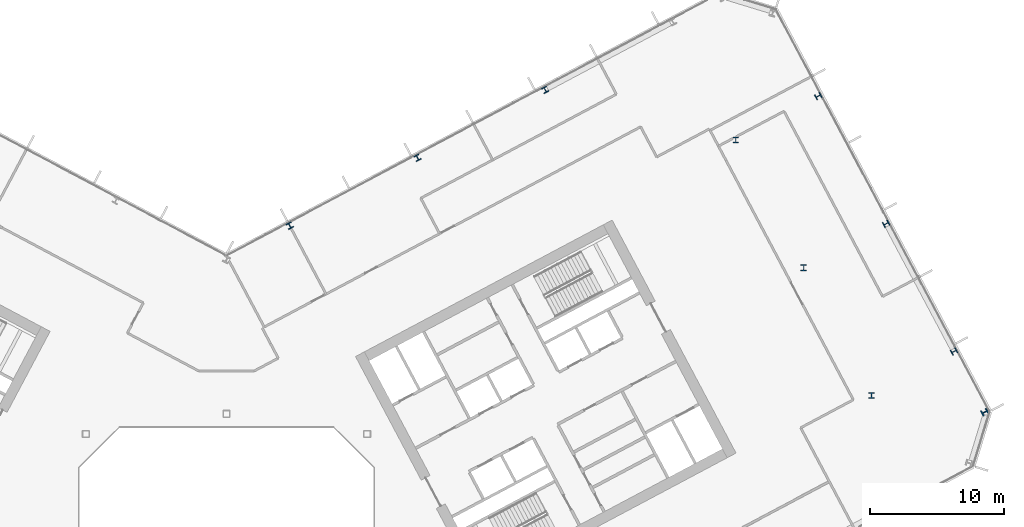
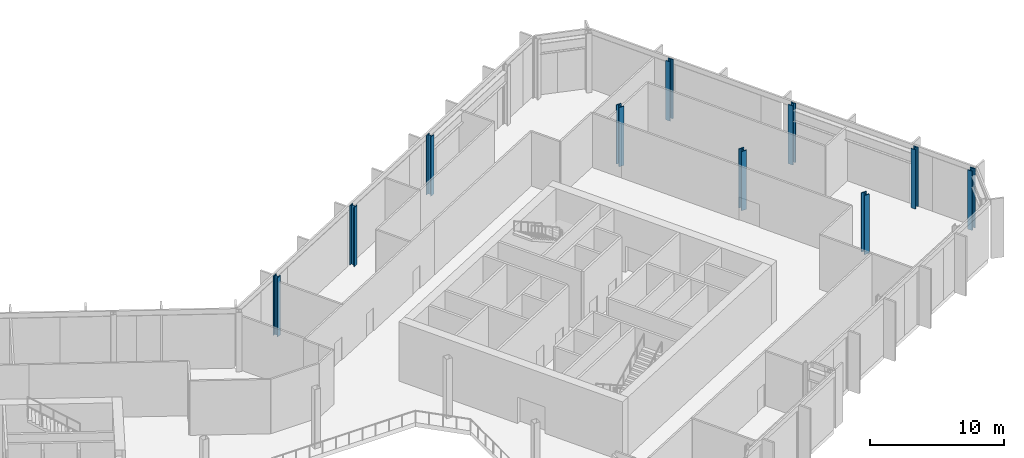
# One storey, part 7 of 31: 10 columns.
"""IFC4 building model written with IfcOpenShell, lengths in metres."""

from ifc_helpers import new_model, si_unit, direction, frame, origin, origin_2d, place, context, subcontext, project, spatial, i_section, extrude, material, material_profile, profile_set, type_object, element, save


model = new_model("IFC4")

# Units and contexts
model_context = context("Model", 3, precision=1e-05, world=origin(), true_north=direction((0.0, 1.0)))
body_context = subcontext(model_context, "Body", "Model", "MODEL_VIEW")
ifc_project = project(units=[si_unit("LENGTHUNIT", "METRE"), si_unit("AREAUNIT", "SQUARE_METRE"), si_unit("VOLUMEUNIT", "CUBIC_METRE"), si_unit("PLANEANGLEUNIT", "RADIAN"), si_unit("MASSUNIT", "GRAM", prefix="KILO")], contexts=[model_context])

# Site, building, storey
site_placement = place(None, origin())
site = spatial("IfcSite", under=ifc_project, at=site_placement, CompositionType="ELEMENT")
building_placement = place(site_placement, origin())
building = spatial("IfcBuilding", under=site, at=building_placement, Name="Cormorant Relay Tower", CompositionType="ELEMENT")
storey_placement = place(building_placement, frame((0.0, 0.0, 178.199951171875)))
storey = spatial("IfcBuildingStorey", under=building, at=storey_placement, Name="L38", CompositionType="ELEMENT", Elevation=178.199951171875)

# Columns
ifc_material_1 = material(Name="Steel ASTM A992 (Fy 345 MPa)", Category="steel")
ifc_material_profile_1 = material_profile(ifc_material_1, i_section(OverallWidth=0.41162109375, OverallDepth=0.434326171875, WebThickness=0.035888671875, FlangeThickness=0.057373046875, FilletRadius=0.01513671875, at=origin_2d()), Name="W360x463")
ifc_profile_set_1 = profile_set([ifc_material_profile_1], Name="Steel ASTM A992 (Fy 345 MPa)")
column_type_1 = type_object("IfcColumnType", Name="Column W360x463", PredefinedType="COLUMN", material=ifc_profile_set_1)
for number, where, z_axis, x_axis, name in (
    (1, (54.321044921875, 16.65087890625, 0.0), (0.0, 0.0, 1.0), (-0.469471562786, 0.882947592859, 0.0), "Column L38-029"),
    (2, (4.72509765625, 26.047119140625, 0.0), (0.0, 0.0, 1.0), (-0.882947592859, -0.469471562786, 0.0), "Column L38-034"),
    (3, (49.2509765625, 26.18701171875, 0.0), (0.0, 0.0, 1.0), (-0.469471562786, 0.882947592859, 0.0), "Column L38-035"),
    (4, (14.260986328125, 31.116943359375, 0.0), (0.0, 0.0, 1.0), (-0.882947592859, -0.469471562786, 0.0), "Column L38-038"),
    (5, (44.180908203125, 35.722900390625, 0.0), (0.0, 0.0, 1.0), (-0.469471562786, 0.882947592859, 0.0), "Column L38-042"),
    (6, (23.7958984375, 36.18798828125, 0.0), (0.0, 0.0, 1.0), (-0.882947592859, -0.469471562786, 0.0), "Column L38-043"),
):
    element("IfcColumn", number, at=place(storey_placement, frame(where, z_axis=z_axis, x_axis=x_axis)), inside=storey, type_object=column_type_1, Name=name, PredefinedType="COLUMN", context=body_context, shape_type="SweptSolid", body=[
        extrude(i_section(OverallWidth=0.41162109375, OverallDepth=0.434326171875, WebThickness=0.035888671875, FlangeThickness=0.057373046875, FilletRadius=0.01513671875, at=origin_2d()), origin(), (0.0, 0.0, 1.0), 5.400146484375),
    ])
ifc_material_2 = material(Name="Steel ASTM A992 (Fy 345 MPa)", Category="steel")
ifc_material_profile_2 = material_profile(ifc_material_2, i_section(OverallWidth=0.42431640625, OverallDepth=0.47509765625, WebThickness=0.0478515625, FlangeThickness=0.0771484375, FilletRadius=0.014892578125, at=origin_2d()), Name="W360x634")
ifc_profile_set_2 = profile_set([ifc_material_profile_2], Name="Steel ASTM A992 (Fy 345 MPa)")
column_type_2 = type_object("IfcColumnType", Name="Column W360x634", PredefinedType="COLUMN", material=ifc_profile_set_2)
for number, where, z_axis, x_axis, name in (
    (7, (56.60791015625, 12.1298828125, 0.0), (0.0, 0.0, 1.0), (-0.469471562786, 0.882947592859, 0.0), "Column L38-026"),
    (8, (48.157958984375, 13.3740234375, 0.0), (0.0, 0.0, 1.0), (1.0, 0.0, 0.0), "Column L38-027"),
    (9, (43.087890625, 22.909912109375, 0.0), (0.0, 0.0, 1.0), (1.0, 0.0, 0.0), "Column L38-031"),
    (10, (38.01806640625, 32.446044921875, 0.0), (0.0, 0.0, 1.0), (1.0, 0.0, 0.0), "Column L38-039"),
):
    element("IfcColumn", number, at=place(storey_placement, frame(where, z_axis=z_axis, x_axis=x_axis)), inside=storey, type_object=column_type_2, Name=name, PredefinedType="COLUMN", context=body_context, shape_type="SweptSolid", body=[
        extrude(i_section(OverallWidth=0.42431640625, OverallDepth=0.47509765625, WebThickness=0.0478515625, FlangeThickness=0.0771484375, FilletRadius=0.014892578125, at=origin_2d()), origin(), (0.0, 0.0, 1.0), 5.400146484375),
    ])

save(model, "model.ifc")
